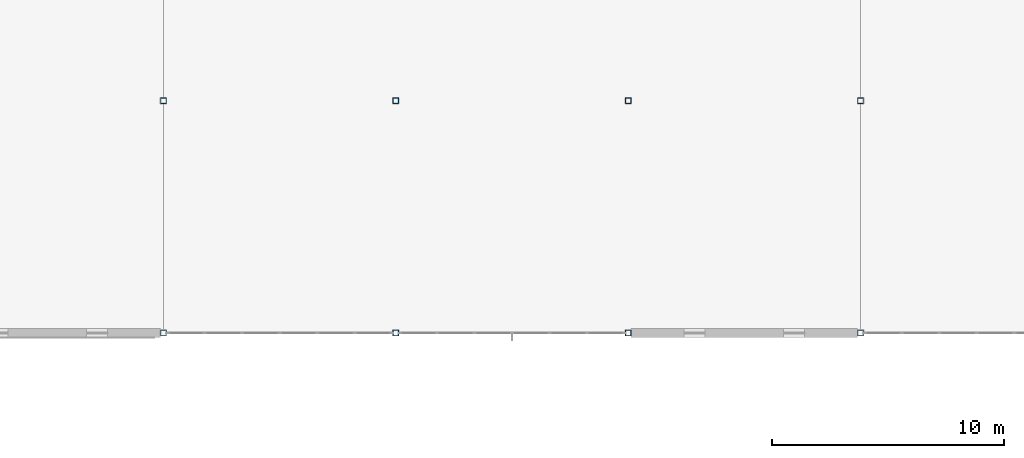
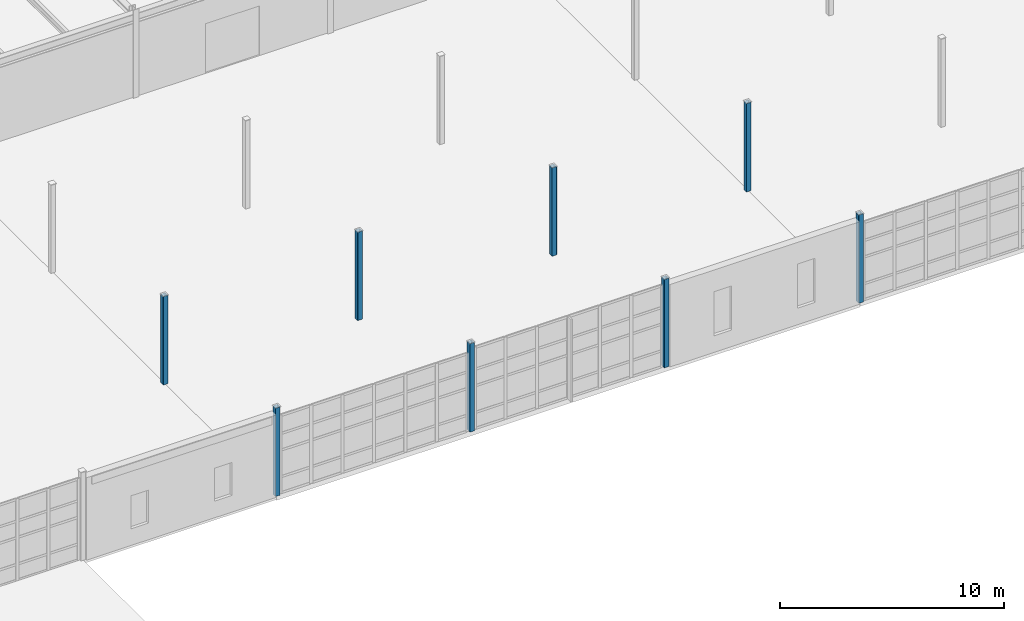
# One storey, part 7 of 139: 8 columns.
"""IFC4 building model written with IfcOpenShell, lengths in metres."""

from ifc_helpers import new_model, si_unit, direction, frame, origin, origin_2d, place, context, subcontext, project, spatial, hollow_rectangle, extrude, material, material_profile, profile_set, type_object, element, save


model = new_model("IFC4")

# Units and contexts
model_context = context("Model", 3, precision=1e-05, world=origin(), true_north=direction((0.0, 1.0)))
body_context = subcontext(model_context, "Body", "Model", "MODEL_VIEW")
ifc_project = project(units=[si_unit("LENGTHUNIT", "METRE"), si_unit("AREAUNIT", "SQUARE_METRE"), si_unit("VOLUMEUNIT", "CUBIC_METRE"), si_unit("PLANEANGLEUNIT", "RADIAN"), si_unit("MASSUNIT", "GRAM", prefix="KILO"), si_unit("THERMODYNAMICTEMPERATUREUNIT", "KELVIN"), si_unit("POWERUNIT", "WATT")], contexts=[model_context])

# Site, building, storey
site_placement = place(None, origin())
site = spatial("IfcSite", under=ifc_project, at=site_placement, CompositionType="ELEMENT")
building_placement = place(site_placement, origin())
building = spatial("IfcBuilding", under=site, at=building_placement, Name="Korenveer Ferry Terminal", CompositionType="ELEMENT")
storey_placement = place(building_placement, frame((0.0, 0.0, 5.39990234375)))
storey = spatial("IfcBuildingStorey", under=building, at=storey_placement, Name="L01", CompositionType="ELEMENT", Elevation=5.39990234375)

# Columns
ifc_material = material(Name="Steel S355", Category="steel")
ifc_material_profile = material_profile(ifc_material, hollow_rectangle(XDim=0.25, YDim=0.25, WallThickness=0.012451171875, InnerFilletRadius=0.012451171875, OuterFilletRadius=0.018798828125, at=origin_2d()), Name="SHS 250x250x12.5")
ifc_profile_set = profile_set([ifc_material_profile], Name="Steel S355")
column_type = type_object("IfcColumnType", Name="STR-COL-SHS250", PredefinedType="COLUMN", material=ifc_profile_set)
for number, where, z_axis, x_axis, name in (
    (1, (73.0, 20.0, 0.0), (0.0, 0.0, 1.0), (1.0, 0.0, 0.0), "Column COL-L01-X73-Y20"),
    (2, (73.0, 30.0, 0.0), (0.0, 0.0, 1.0), (1.0, 0.0, 0.0), "Column COL-L01-X73-Y30"),
    (3, (83.0, 20.0, 0.0), (0.0, 0.0, 1.0), (1.0, 0.0, 0.0), "Column COL-L01-X83-Y20"),
    (4, (83.0, 30.0, 0.0), (0.0, 0.0, 1.0), (1.0, 0.0, 0.0), "Column COL-L01-X83-Y30"),
    (5, (93.0, 20.0, 0.0), (0.0, 0.0, 1.0), (1.0, 0.0, 0.0), "Column COL-L01-X93-Y20"),
    (6, (93.0, 30.0, 0.0), (0.0, 0.0, 1.0), (1.0, 0.0, 0.0), "Column COL-L01-X93-Y30"),
    (7, (103.0, 20.0, 0.0), (0.0, 0.0, 1.0), (1.0, 0.0, 0.0), "Column COL-L01-X103-Y20"),
    (8, (103.0, 30.0, 0.0), (0.0, 0.0, 1.0), (1.0, 0.0, 0.0), "Column COL-L01-X103-Y30"),
):
    element("IfcColumn", number, at=place(storey_placement, frame(where, z_axis=z_axis, x_axis=x_axis)), inside=storey, type_object=column_type, Name=name, PredefinedType="COLUMN", context=body_context, shape_type="SweptSolid", body=[
        extrude(hollow_rectangle(XDim=0.25, YDim=0.25, WallThickness=0.012451171875, InnerFilletRadius=0.012451171875, OuterFilletRadius=0.018798828125, at=origin_2d()), origin(), (0.0, 0.0, 1.0), 4.800048828125),
    ])

save(model, "model.ifc")
